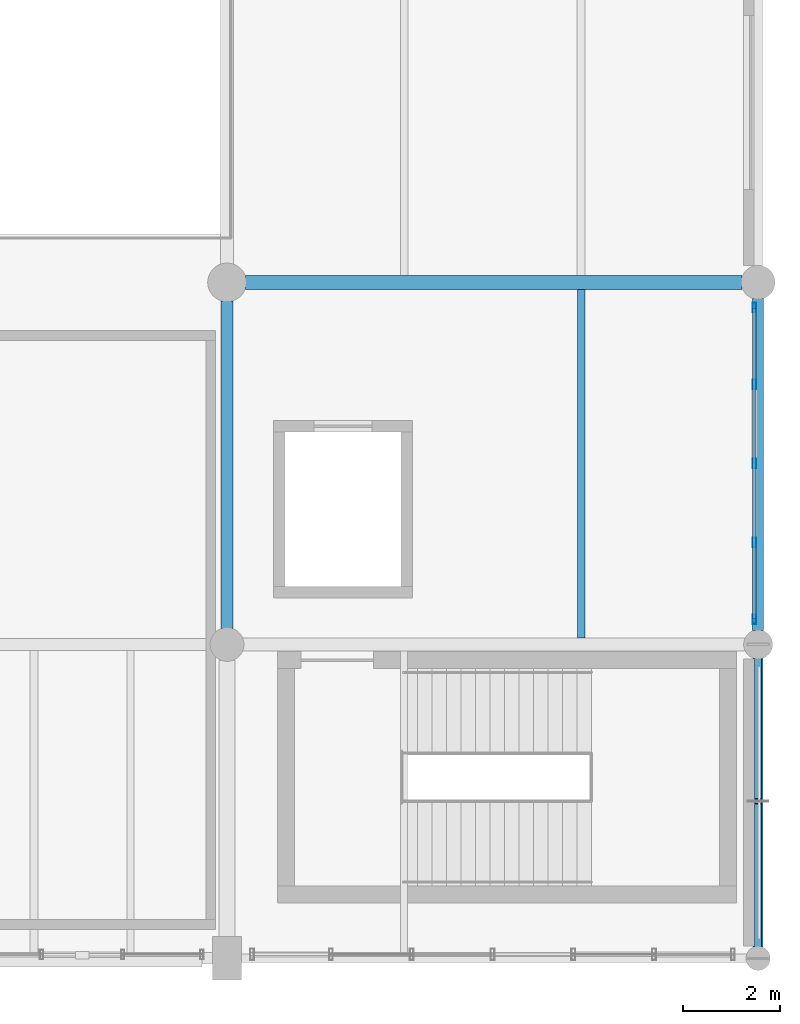
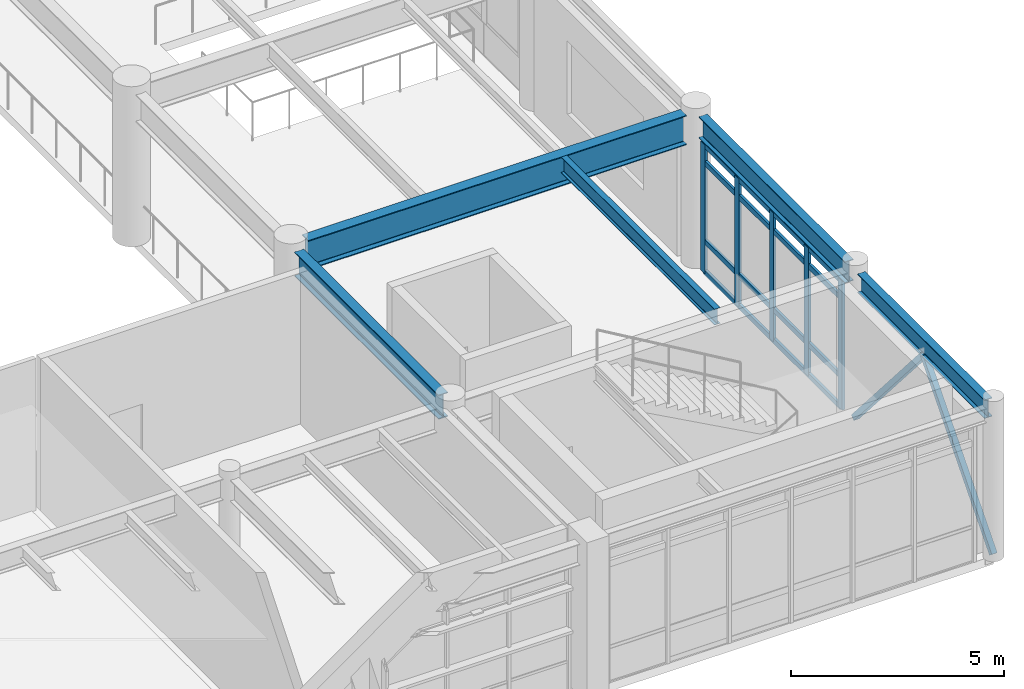
# One storey, part 100 of 168: 11 members, 5 beams, 1 element without a shape of its own.
"""IFC4 building model written with IfcOpenShell, lengths in metres."""

from ifc_helpers import new_model, si_unit, direction, frame, origin, origin_2d, place, context, subcontext, project, spatial, hollow_rectangle, i_section, extrude, material, material_profile, profile_set, type_object, element, aggregate, save


model = new_model("IFC4")

# Units and contexts
model_context = context("Model", 3, precision=1e-05, world=origin(), true_north=direction((0.0, 1.0)))
body_context = subcontext(model_context, "Body", "Model", "MODEL_VIEW")
ifc_project = project(units=[si_unit("LENGTHUNIT", "METRE"), si_unit("AREAUNIT", "SQUARE_METRE"), si_unit("VOLUMEUNIT", "CUBIC_METRE"), si_unit("PLANEANGLEUNIT", "RADIAN"), si_unit("MASSUNIT", "GRAM", prefix="KILO"), si_unit("THERMODYNAMICTEMPERATUREUNIT", "KELVIN"), si_unit("POWERUNIT", "WATT")], contexts=[model_context])

# Site, building, storey
site_placement = place(None, origin())
site = spatial("IfcSite", under=ifc_project, at=site_placement, CompositionType="ELEMENT")
building_placement = place(site_placement, origin())
building = spatial("IfcBuilding", under=site, at=building_placement, Name="Tepalcoro Natatorium and Aquatics Centre", CompositionType="ELEMENT")
storey_placement = place(building_placement, frame((0.0, 0.0, 10.199951171875)))
storey = spatial("IfcBuildingStorey", under=building, at=storey_placement, Name="L02", CompositionType="ELEMENT", Elevation=10.199951171875)

# Beams
ifc_material_1 = material(Name="Steel ASTM A992 Grade 50 (Fy 345 MPa)", Category="steel")
ifc_material_profile_1 = material_profile(ifc_material_1, i_section(OverallWidth=0.25390625, OverallDepth=0.700927734375, WebThickness=0.014892578125, FlangeThickness=0.028076171875, FilletRadius=0.013916015625, at=origin_2d()), Name="W27X129")
ifc_profile_set_1 = profile_set([ifc_material_profile_1], Name="Steel ASTM A992 Grade 50 (Fy 345 MPa)")
beam_type_1 = type_object("IfcBeamType", Name="BM_W27x129", PredefinedType="BEAM", material=ifc_profile_set_1)
beam_1_placement = place(storey_placement, frame((165.0, 13.3349609375, 4.0146484375), z_axis=(0.0, 1.0, 0.0), x_axis=(-1.0, 0.0, 0.0)))
element("IfcBeam", 1, at=beam_1_placement, inside=storey, type_object=beam_type_1, Name="V2 L02 Grid Girder Y", PredefinedType="BEAM", context=body_context, shape_type="SweptSolid", body=[
    extrude(i_section(OverallWidth=0.25390625, OverallDepth=0.700927734375, WebThickness=0.014892578125, FlangeThickness=0.028076171875, FilletRadius=0.013916015625, at=origin_2d()), origin(), (0.0, 0.0, 1.0), 6.780029296875),
])
ifc_material_profile_2 = material_profile(ifc_material_1, i_section(OverallWidth=0.2919921875, OverallDepth=0.845947265625, WebThickness=0.014892578125, FlangeThickness=0.02392578125, FilletRadius=0.013916015625, at=origin_2d()), Name="W33X141")
ifc_profile_set_2 = profile_set([ifc_material_profile_2], Name="Steel ASTM A992 Grade 50 (Fy 345 MPa)")
beam_type_2 = type_object("IfcBeamType", Name="BM_W33x141", PredefinedType="BEAM", material=ifc_profile_set_2)
beam_2_placement = place(storey_placement, frame((165.385009765625, 20.5, 3.942138671875), z_axis=(1.0, 0.0, 0.0), x_axis=(0.0, 1.0, 0.0)))
element("IfcBeam", 2, at=beam_2_placement, inside=storey, type_object=beam_type_2, Name="V2 L02 Grid Girder X", PredefinedType="BEAM", context=body_context, shape_type="SweptSolid", body=[
    extrude(i_section(OverallWidth=0.2919921875, OverallDepth=0.845947265625, WebThickness=0.014892578125, FlangeThickness=0.02392578125, FilletRadius=0.013916015625, at=origin_2d()), origin(), (0.0, 0.0, 1.0), 10.280029296875),
])

# Curtain wall, members
ifc_material_2 = material(Name="Bronze-Anodised Extruded Aluminium Alloy EN AW-6063 T6", Category="aluminium")
curtain_wall_type = type_object("IfcCurtainWallType", Name="CW_LEAN_T2_NS", PredefinedType="USERDEFINED", material=ifc_material_2)
curtain_wall_placement = place(storey_placement, origin())
curtain_wall = element("IfcCurtainWall", 3, at=curtain_wall_placement, inside=storey, type_object=curtain_wall_type, Name="V2 L02 E Unitised Curtain Wall Bay 2", ObjectType="FACETED SOLAR GLAZING", PredefinedType="USERDEFINED")
ifc_material_profile_3 = material_profile(ifc_material_2, hollow_rectangle(XDim=0.070068359375, YDim=0.199951171875, WallThickness=0.0048828125, at=origin_2d()), Name="AL70X200X5")
ifc_profile_set_3 = profile_set([ifc_material_profile_3], Name="Bronze-Anodised Extruded Aluminium Alloy EN AW-6063 T6")
member_type_1 = type_object("IfcMemberType", Name="CW_MUL_70x200", PredefinedType="MULLION", material=ifc_profile_set_3)
member_1_placement = place(storey_placement, frame((175.923828125, 13.52001953125, 0.02001953125), z_axis=(0.0, 0.0, 1.0), x_axis=(1.0, 0.0, 0.0)))
member_1 = element("IfcMember", 4, at=member_1_placement, type_object=member_type_1, Name="CW_LEAN_T2_NS Curtain Wall Mullion", PredefinedType="MULLION", context=body_context, shape_type="SweptSolid", body=[
    extrude(hollow_rectangle(XDim=0.070068359375, YDim=0.199951171875, WallThickness=0.0048828125, at=origin_2d()), origin(), (0.0, 0.0, 1.0), 3.697998046875),
])
member_2_placement = place(storey_placement, frame((175.923828125, 15.114990234375, 0.02001953125), z_axis=(0.0, 0.0, 1.0), x_axis=(1.0, 0.0, 0.0)))
member_2 = element("IfcMember", 5, at=member_2_placement, type_object=member_type_1, Name="CW_LEAN_T2_NS Curtain Wall Mullion", PredefinedType="MULLION", context=body_context, shape_type="SweptSolid", body=[
    extrude(hollow_rectangle(XDim=0.070068359375, YDim=0.199951171875, WallThickness=0.0048828125, at=origin_2d()), origin(), (0.0, 0.0, 1.0), 3.697998046875),
])
member_3_placement = place(storey_placement, frame((175.923828125, 16.75, 0.02001953125), z_axis=(0.0, 0.0, 1.0), x_axis=(1.0, 0.0, 0.0)))
member_3 = element("IfcMember", 6, at=member_3_placement, type_object=member_type_1, Name="CW_LEAN_T2_NS Curtain Wall Mullion", PredefinedType="MULLION", context=body_context, shape_type="SweptSolid", body=[
    extrude(hollow_rectangle(XDim=0.070068359375, YDim=0.199951171875, WallThickness=0.0048828125, at=origin_2d()), origin(), (0.0, 0.0, 1.0), 3.697998046875),
])
member_4_placement = place(storey_placement, frame((175.923828125, 18.385009765625, 0.02001953125), z_axis=(0.0, 0.0, 1.0), x_axis=(1.0, 0.0, 0.0)))
member_4 = element("IfcMember", 7, at=member_4_placement, type_object=member_type_1, Name="CW_LEAN_T2_NS Curtain Wall Mullion", PredefinedType="MULLION", context=body_context, shape_type="SweptSolid", body=[
    extrude(hollow_rectangle(XDim=0.070068359375, YDim=0.199951171875, WallThickness=0.0048828125, at=origin_2d()), origin(), (0.0, 0.0, 1.0), 3.697998046875),
])
member_5_placement = place(storey_placement, frame((175.923828125, 19.97998046875, 0.02001953125), z_axis=(0.0, 0.0, 1.0), x_axis=(1.0, 0.0, 0.0)))
member_5 = element("IfcMember", 8, at=member_5_placement, type_object=member_type_1, Name="CW_LEAN_T2_NS Curtain Wall Mullion", PredefinedType="MULLION", context=body_context, shape_type="SweptSolid", body=[
    extrude(hollow_rectangle(XDim=0.070068359375, YDim=0.199951171875, WallThickness=0.0048828125, at=origin_2d()), origin(), (0.0, 0.0, 1.0), 3.697998046875),
])
ifc_material_profile_4 = material_profile(ifc_material_2, hollow_rectangle(XDim=0.070068359375, YDim=0.14990234375, WallThickness=0.00390625, at=origin_2d()), Name="AL70X150X4")
ifc_profile_set_4 = profile_set([ifc_material_profile_4], Name="Bronze-Anodised Extruded Aluminium Alloy EN AW-6063 T6")
member_type_2 = type_object("IfcMemberType", Name="CW_TRN_70x150", PredefinedType="USERDEFINED", material=ifc_profile_set_4)
member_6_placement = place(storey_placement, frame((175.923828125, 13.530029296875, 0.050048828125), z_axis=(0.0, 1.0, 0.0), x_axis=(-1.0, 0.0, 0.0)))
member_6 = element("IfcMember", 9, at=member_6_placement, type_object=member_type_2, Name="CW_LEAN_T2_NS Curtain Wall Transom", ObjectType="TRANSOM", PredefinedType="USERDEFINED", context=body_context, shape_type="SweptSolid", body=[
    extrude(hollow_rectangle(XDim=0.070068359375, YDim=0.14990234375, WallThickness=0.00390625, at=origin_2d()), origin(), (0.0, 0.0, 1.0), 6.43994140625),
])
member_7_placement = place(storey_placement, frame((175.923828125, 13.530029296875, 0.9345703125), z_axis=(0.0, 1.0, 0.0), x_axis=(-1.0, 0.0, 0.0)))
member_7 = element("IfcMember", 10, at=member_7_placement, type_object=member_type_2, Name="CW_LEAN_T2_NS Curtain Wall Transom", ObjectType="TRANSOM", PredefinedType="USERDEFINED", context=body_context, shape_type="SweptSolid", body=[
    extrude(hollow_rectangle(XDim=0.070068359375, YDim=0.14990234375, WallThickness=0.00390625, at=origin_2d()), origin(), (0.0, 0.0, 1.0), 6.43994140625),
])
member_8_placement = place(storey_placement, frame((175.923828125, 13.530029296875, 3.18798828125), z_axis=(0.0, 1.0, 0.0), x_axis=(-1.0, 0.0, 0.0)))
member_8 = element("IfcMember", 11, at=member_8_placement, type_object=member_type_2, Name="CW_LEAN_T2_NS Curtain Wall Transom", ObjectType="TRANSOM", PredefinedType="USERDEFINED", context=body_context, shape_type="SweptSolid", body=[
    extrude(hollow_rectangle(XDim=0.070068359375, YDim=0.14990234375, WallThickness=0.00390625, at=origin_2d()), origin(), (0.0, 0.0, 1.0), 6.43994140625),
])
member_9_placement = place(storey_placement, frame((175.923828125, 13.530029296875, 3.68798828125), z_axis=(0.0, 1.0, 0.0), x_axis=(-1.0, 0.0, 0.0)))
member_9 = element("IfcMember", 12, at=member_9_placement, type_object=member_type_2, Name="CW_LEAN_T2_NS Curtain Wall Transom", ObjectType="TRANSOM", PredefinedType="USERDEFINED", context=body_context, shape_type="SweptSolid", body=[
    extrude(hollow_rectangle(XDim=0.070068359375, YDim=0.14990234375, WallThickness=0.00390625, at=origin_2d()), origin(), (0.0, 0.0, 1.0), 6.43994140625),
])
aggregate(curtain_wall, [member_1, member_2, member_3, member_4, member_5, member_6, member_7, member_8, member_9])

# Beam
ifc_material_profile_5 = material_profile(ifc_material_1, i_section(OverallWidth=0.153076171875, OverallDepth=0.455078125, WebThickness=0.008056640625, FlangeThickness=0.012939453125, FilletRadius=0.013916015625, at=origin_2d()), Name="W18X40")
ifc_profile_set_5 = profile_set([ifc_material_profile_5], Name="Steel ASTM A992 Grade 50 (Fy 345 MPa)")
beam_type_3 = type_object("IfcBeamType", Name="JS_W18x40", PredefinedType="JOIST", material=ifc_profile_set_5)
beam_3_placement = place(storey_placement, frame((172.333251953125, 13.133544921875, 4.137451171875), z_axis=(0.0, 1.0, 0.0), x_axis=(-1.0, 0.0, 0.0)))
element("IfcBeam", 13, at=beam_3_placement, inside=storey, type_object=beam_type_3, Name="V2 L02 Floor Joist", PredefinedType="JOIST", context=body_context, shape_type="SweptSolid", body=[
    extrude(i_section(OverallWidth=0.153076171875, OverallDepth=0.455078125, WebThickness=0.008056640625, FlangeThickness=0.012939453125, FilletRadius=0.013916015625, at=origin_2d()), origin(), (0.0, 0.0, 1.0), 7.220458984375),
])

# Members
ifc_material_3 = material(Name="Hollow Steel ASTM A500 Grade C (Fy 345 MPa)", Category="steel")
ifc_material_profile_6 = material_profile(ifc_material_3, hollow_rectangle(XDim=0.14990234375, YDim=0.14990234375, WallThickness=0.010009765625, at=origin_2d()), Name="HSS150X150X10")
ifc_profile_set_6 = profile_set([ifc_material_profile_6], Name="Hollow Steel ASTM A500 Grade C (Fy 345 MPa)")
member_type_3 = type_object("IfcMemberType", Name="MB_BR_HSS150x150x10", PredefinedType="BRACE", material=ifc_profile_set_6)
for number, where, z_axis, x_axis, name in (
    (14, (176.0, 6.5, 0.050048828125), (0.0, 0.653933158847, 0.756552327179), (-1.0, 0.0, 0.0), "V2 L02 Chevron Lateral Brace"),
    (15, (176.0, 13.0, 0.050048828125), (0.0, -0.653933158847, 0.756552327179), (1.0, 0.0, 0.0), "V2 L02 Chevron Lateral Brace"),
):
    element("IfcMember", number, at=place(storey_placement, frame(where, z_axis=z_axis, x_axis=x_axis)), inside=storey, type_object=member_type_3, Name=name, PredefinedType="BRACE", context=body_context, shape_type="SweptSolid", body=[
        extrude(hollow_rectangle(XDim=0.14990234375, YDim=0.14990234375, WallThickness=0.010009765625, at=origin_2d()), origin(), (0.0, 0.0, 1.0), 4.969970703125),
    ])

# Beams
ifc_material_profile_7 = material_profile(ifc_material_1, i_section(OverallWidth=0.2099609375, OverallDepth=0.535888671875, WebThickness=0.010986328125, FlangeThickness=0.01708984375, FilletRadius=0.013916015625, at=origin_2d()), Name="W21X68")
ifc_profile_set_7 = profile_set([ifc_material_profile_7], Name="Steel ASTM A992 Grade 50 (Fy 345 MPa)")
beam_type_4 = type_object("IfcBeamType", Name="SP_W21x68", PredefinedType="SPANDREL", material=ifc_profile_set_7)
beam_4_placement = place(storey_placement, frame((176.0, 6.735107421875, 4.09716796875), z_axis=(0.0, 1.0, 0.0), x_axis=(-1.0, 0.0, 0.0)))
element("IfcBeam", 16, at=beam_4_placement, inside=storey, type_object=beam_type_4, Name="V2 L02 Grid Girder Y", PredefinedType="SPANDREL", context=body_context, shape_type="SweptSolid", body=[
    extrude(i_section(OverallWidth=0.2099609375, OverallDepth=0.535888671875, WebThickness=0.010986328125, FlangeThickness=0.01708984375, FilletRadius=0.013916015625, at=origin_2d()), origin(), (0.0, 0.0, 1.0), 5.97998046875),
])
ifc_material_profile_8 = material_profile(ifc_material_1, i_section(OverallWidth=0.22900390625, OverallDepth=0.612060546875, WebThickness=0.011962890625, FlangeThickness=0.02001953125, FilletRadius=0.013916015625, at=origin_2d()), Name="W24X84")
ifc_profile_set_8 = profile_set([ifc_material_profile_8], Name="Steel ASTM A992 Grade 50 (Fy 345 MPa)")
beam_type_5 = type_object("IfcBeamType", Name="SP_W24x84", PredefinedType="SPANDREL", material=ifc_profile_set_8)
beam_5_placement = place(storey_placement, frame((176.0, 13.284912109375, 4.05908203125), z_axis=(0.0, 1.0, 0.0), x_axis=(-1.0, 0.0, 0.0)))
element("IfcBeam", 17, at=beam_5_placement, inside=storey, type_object=beam_type_5, Name="V2 L02 Grid Girder Y", PredefinedType="SPANDREL", context=body_context, shape_type="SweptSolid", body=[
    extrude(i_section(OverallWidth=0.22900390625, OverallDepth=0.612060546875, WebThickness=0.011962890625, FlangeThickness=0.02001953125, FilletRadius=0.013916015625, at=origin_2d()), origin(), (0.0, 0.0, 1.0), 6.880126953125),
])

save(model, "model.ifc")
